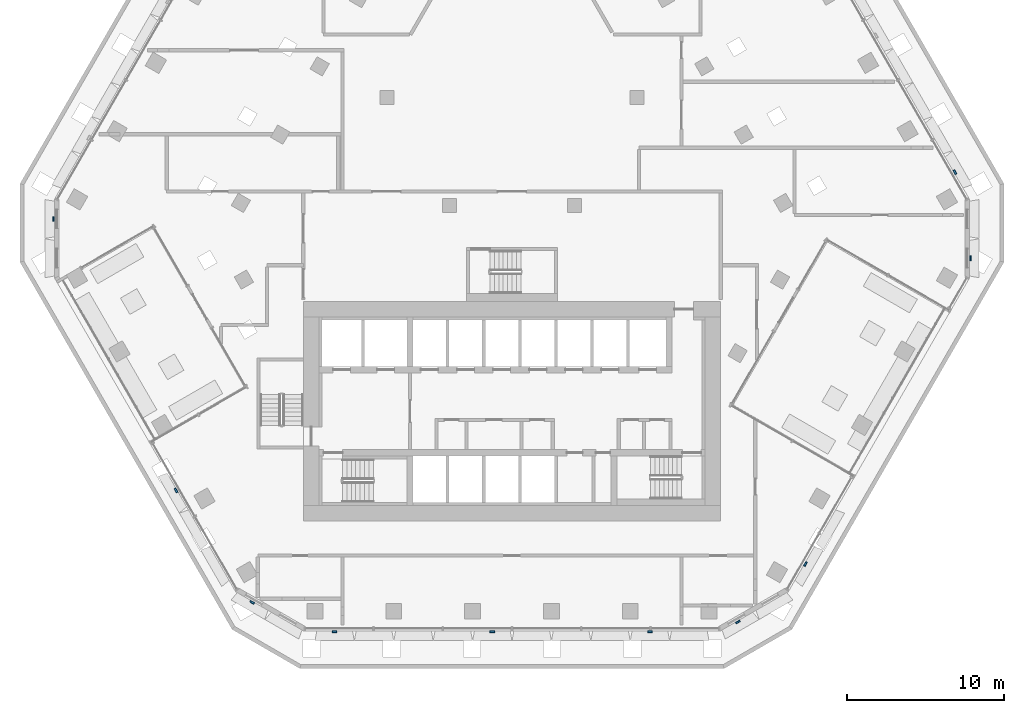
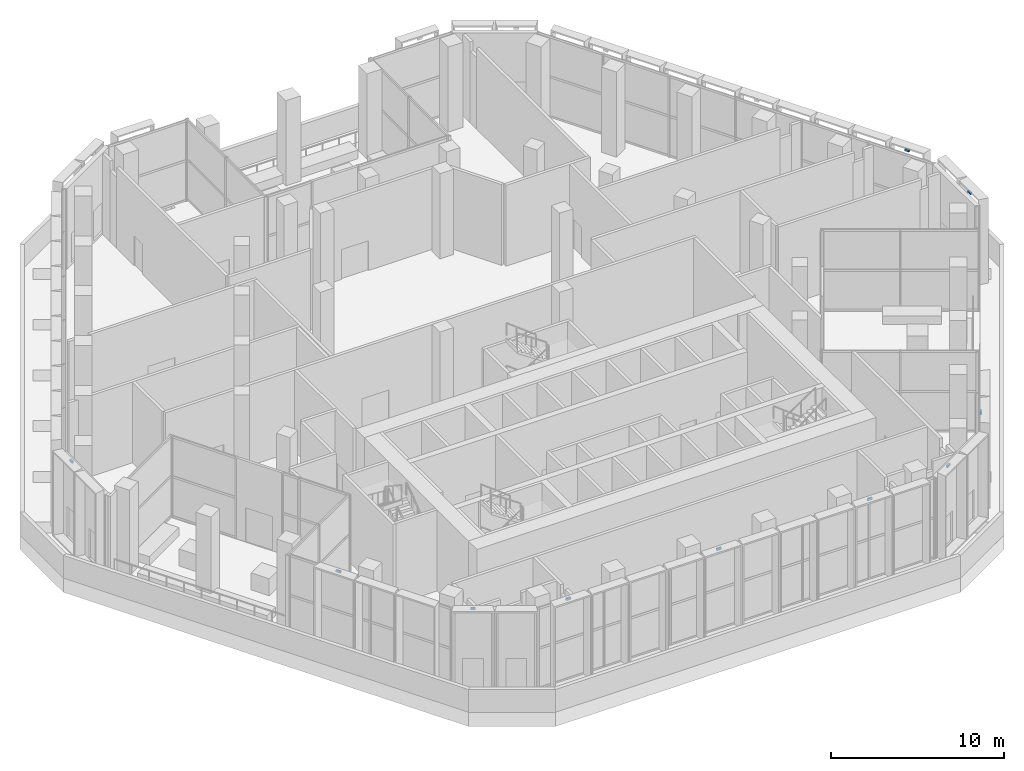
# One storey, part 13 of 23: 10 discrete accessories.
"""IFC4 building model written with IfcOpenShell, lengths in metres."""

from ifc_helpers import new_model, si_unit, direction, frame, origin, place, context, subcontext, project, spatial, polyline, outline, extrude, source, transform, mapped, material, type_object, type_shapes, element, save


model = new_model("IFC4")

# Units and contexts
model_context = context("Model", 3, precision=1e-05, world=origin(), true_north=direction((0.0, 1.0)))
body_context = subcontext(model_context, "Body", "Model", "MODEL_VIEW")
ifc_project = project(units=[si_unit("LENGTHUNIT", "METRE"), si_unit("AREAUNIT", "SQUARE_METRE"), si_unit("VOLUMEUNIT", "CUBIC_METRE"), si_unit("PLANEANGLEUNIT", "RADIAN"), si_unit("MASSUNIT", "GRAM", prefix="KILO")], contexts=[model_context])

# Site, building, storey
site_placement = place(None, origin())
site = spatial("IfcSite", under=ifc_project, at=site_placement, CompositionType="ELEMENT")
building_placement = place(site_placement, origin())
building = spatial("IfcBuilding", under=site, at=building_placement, Name="Beryl Residences", CompositionType="ELEMENT")
storey_placement = place(building_placement, frame((0.0, 0.0, 66.0)))
storey = spatial("IfcBuildingStorey", under=building, at=storey_placement, Name="L20", CompositionType="ELEMENT", Elevation=66.0)

# Discrete accessories
ifc_material = material(Name="Steel S355", Category="steel")
discrete_accessory_type = type_object("IfcDiscreteAccessoryType", Name="BR1 frame bracket 300 x 120 x 150 mm", PredefinedType="BRACKET", material=ifc_material)
shared_shape = source(origin(), body_context, "Body", "SweptSolid", [
    extrude(outline(polyline([(-0.14990234375, 0.0), (0.14990234375, 0.0), (0.14990234375, 0.1201171875), (-0.14990234375, 0.1201171875), (-0.14990234375, 0.0)])), origin(), (0.0, 0.0, 1.0), 0.14990234375),
])
type_shapes(discrete_accessory_type, [shared_shape])
for number, where, z_axis, x_axis, name in (
    (1, (-29.156982421875, 0.25, 5.75), (0.0, 0.0, 1.0), (0.0, 1.0, 0.0), "BR1 bracket L20 NW-SW 1"),
    (2, (-21.35302734375, -17.01611328125, 5.75), (0.0, 0.0, 1.0), (-0.5, 0.866025403784, 0.0), "BR1 bracket L20 SW 6"),
    (3, (-16.527099609375, -24.125, 5.75), (0.0, 0.0, 1.0), (-0.866025403784, 0.5, 0.0), "BR1 bracket L20 SW-S 1"),
    (4, (-11.301025390625, -26.0, 5.75), (0.0, 0.0, 1.0), (-1.0, 0.0, 0.0), "BR1 bracket L20 S 1"),
    (5, (-1.2548828125, -26.0, 5.75), (0.0, 0.0, 1.0), (-1.0, 0.0, 0.0), "BR1 bracket L20 S 5"),
    (6, (8.791015625, -26.0, 5.75), (0.0, 0.0, 1.0), (-1.0, 0.0, 0.0), "BR1 bracket L20 S 9"),
    (7, (14.361083984375, -25.375, 5.75), (0.0, 0.0, 1.0), (-0.866025403784, -0.5, 0.0), "BR1 bracket L20 S-SE 1"),
    (8, (18.64697265625, -21.7041015625, 5.75), (0.0, 0.0, 1.0), (-0.5, -0.866025403784, 0.0), "BR1 bracket L20 SE 1"),
    (9, (29.156982421875, -2.25, 5.75), (0.0, 0.0, 1.0), (0.0, -1.0, 0.0), "BR1 bracket L20 SE-NE 1"),
    (10, (28.16796875, 3.2119140625, 5.75), (0.0, 0.0, 1.0), (0.5, -0.866025403784, 0.0), "BR1 bracket L20 NE 1"),
):
    element("IfcDiscreteAccessory", number, at=place(storey_placement, frame(where, z_axis=z_axis, x_axis=x_axis)), inside=storey, type_object=discrete_accessory_type, Name=name, PredefinedType="BRACKET", context=body_context, shape_type="MappedRepresentation", body=[
        mapped(shared_shape, transform((0.0, 0.0, 0.0))),
    ])

save(model, "model.ifc")
